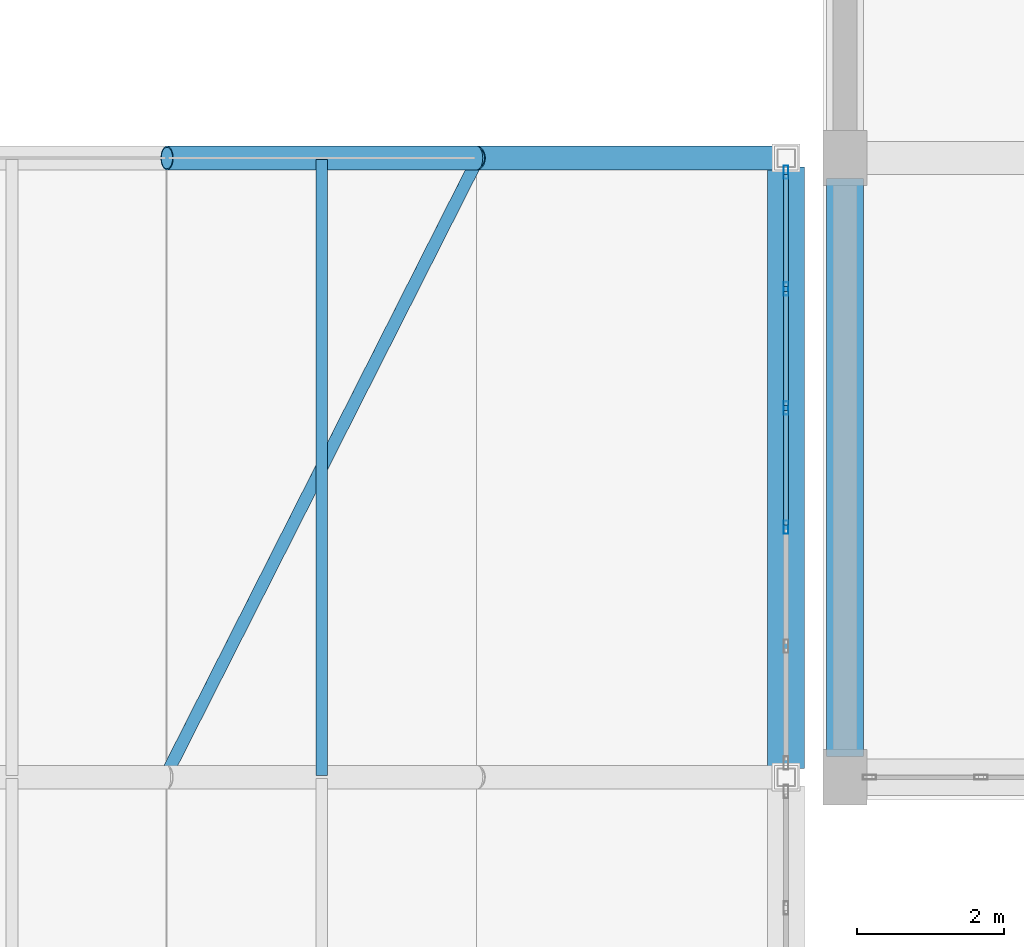
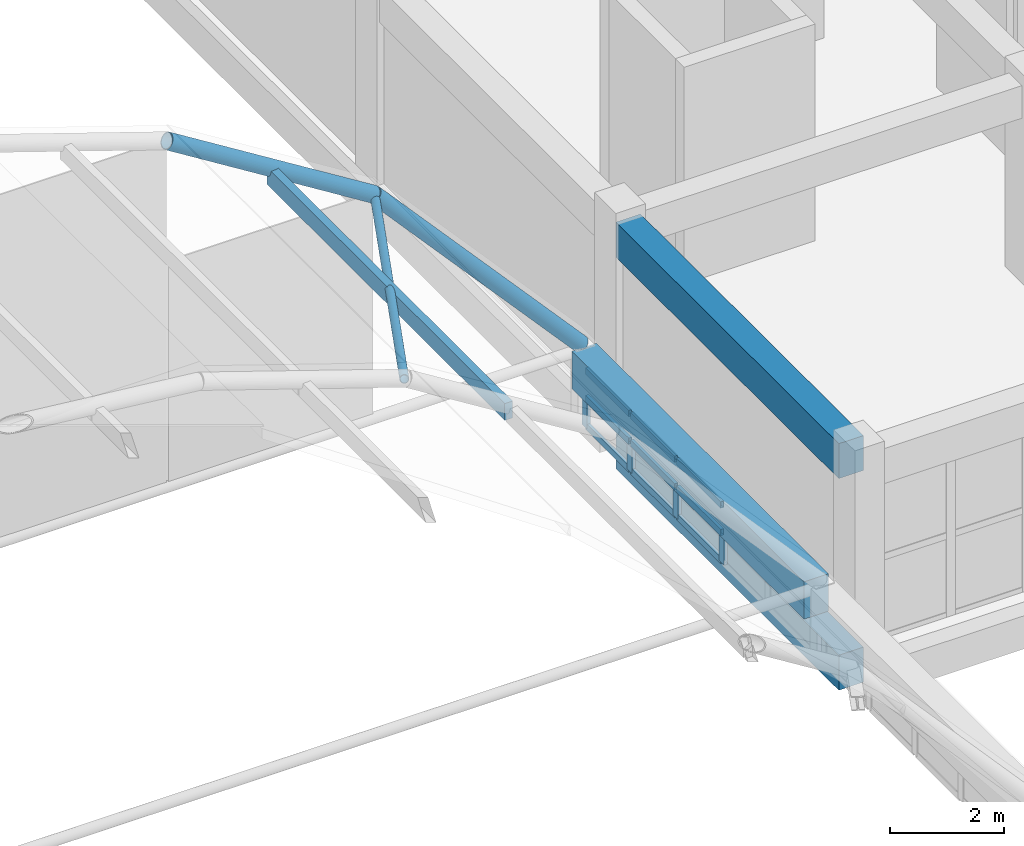
# One storey, part 71 of 114: 15 members, 5 beams, 1 element without a shape of its own.
"""IFC4 building model written with IfcOpenShell, lengths in metres."""

from ifc_helpers import new_model, si_unit, direction, frame, origin, origin_2d, place, context, subcontext, project, spatial, rectangle, hollow_rectangle, hollow_circle, extrude, material, layer, layer_set, material_profile, profile_set, type_object, element, aggregate, save


model = new_model("IFC4")

# Units and contexts
model_context = context("Model", 3, precision=1e-05, world=origin(), true_north=direction((0.0, 1.0)))
body_context = subcontext(model_context, "Body", "Model", "MODEL_VIEW")
ifc_project = project(units=[si_unit("LENGTHUNIT", "METRE"), si_unit("AREAUNIT", "SQUARE_METRE"), si_unit("VOLUMEUNIT", "CUBIC_METRE"), si_unit("PLANEANGLEUNIT", "RADIAN"), si_unit("MASSUNIT", "GRAM", prefix="KILO")], contexts=[model_context])

# Site, building, storey
site_placement = place(None, origin())
site = spatial("IfcSite", under=ifc_project, at=site_placement, CompositionType="ELEMENT")
building_placement = place(site_placement, origin())
building = spatial("IfcBuilding", under=site, at=building_placement, Name="Xazarin Passage Department Store", CompositionType="ELEMENT")
storey_placement = place(building_placement, frame((0.0, 0.0, 14.39990234375)))
storey = spatial("IfcBuildingStorey", under=building, at=storey_placement, Name="L03", CompositionType="ELEMENT", Elevation=14.39990234375)

# Curtain wall, members
ifc_material_1 = material(Name="Bronze anodised aluminium", Category="aluminium")
ifc_layer = layer(ifc_material_1, 0.159912109375)
ifc_layer_set = layer_set([ifc_layer], Name="Bronze anodised aluminium")
curtain_wall_type = type_object("IfcCurtainWallType", Name="ARC-CW-ARC1", PredefinedType="NOTDEFINED", material=ifc_layer_set)
curtain_wall_placement = place(storey_placement, origin())
curtain_wall = element("IfcCurtainWall", 1, at=curtain_wall_placement, inside=storey, type_object=curtain_wall_type, Name="L03 V2N Galleria Clerestory Curtain Wall 5E", PredefinedType="NOTDEFINED")
ifc_material_profile_1 = material_profile(ifc_material_1, hollow_rectangle(XDim=0.06494140625, YDim=0.179931640625, WallThickness=0.00390625, at=origin_2d()), Name="ALU 65x180")
ifc_profile_set_1 = profile_set([ifc_material_profile_1], Name="Bronze anodised aluminium")
member_type_1 = type_object("IfcMemberType", Name="ARC-CWM-65x180", PredefinedType="MULLION", material=ifc_profile_set_1)
member_1_placement = place(storey_placement, frame((101.60009765625, 88.19189453125, 0.0), z_axis=(0.0, 0.0, 1.0), x_axis=(-1.0, 0.0, 0.0)))
member_1 = element("IfcMember", 2, at=member_1_placement, type_object=member_type_1, Name="CW3 mullion 3", PredefinedType="MULLION", context=body_context, shape_type="SweptSolid", body=[
    extrude(hollow_rectangle(XDim=0.06494140625, YDim=0.179931640625, WallThickness=0.00390625, at=origin_2d()), origin(), (0.0, 0.0, 1.0), 1.251708984375),
])
member_2_placement = place(storey_placement, frame((101.60009765625, 89.80810546875, 0.0), z_axis=(0.0, 0.0, 1.0), x_axis=(-1.0, 0.0, 0.0)))
member_2 = element("IfcMember", 3, at=member_2_placement, type_object=member_type_1, Name="CW3 mullion 4", PredefinedType="MULLION", context=body_context, shape_type="SweptSolid", body=[
    extrude(hollow_rectangle(XDim=0.06494140625, YDim=0.179931640625, WallThickness=0.00390625, at=origin_2d()), origin(), (0.0, 0.0, 1.0), 1.251708984375),
])
member_3_placement = place(storey_placement, frame((101.60009765625, 91.424072265625, 0.0), z_axis=(0.0, 0.0, 1.0), x_axis=(-1.0, 0.0, 0.0)))
member_3 = element("IfcMember", 4, at=member_3_placement, type_object=member_type_1, Name="CW3 mullion 5", PredefinedType="MULLION", context=body_context, shape_type="SweptSolid", body=[
    extrude(hollow_rectangle(XDim=0.06494140625, YDim=0.179931640625, WallThickness=0.00390625, at=origin_2d()), origin(), (0.0, 0.0, 1.0), 1.251708984375),
])
member_4_placement = place(storey_placement, frame((101.60009765625, 93.007568359375, 0.0), z_axis=(0.0, 0.0, 1.0), x_axis=(-1.0, 0.0, 0.0)))
member_4 = element("IfcMember", 5, at=member_4_placement, type_object=member_type_1, Name="CW3 mullion 6", PredefinedType="MULLION", context=body_context, shape_type="SweptSolid", body=[
    extrude(hollow_rectangle(XDim=0.06494140625, YDim=0.179931640625, WallThickness=0.00390625, at=origin_2d()), origin(), (0.0, 0.0, 1.0), 1.251708984375),
])
ifc_material_profile_2 = material_profile(ifc_material_1, hollow_rectangle(XDim=0.06494140625, YDim=0.139892578125, WallThickness=0.00390625, at=origin_2d()), Name="ALU 65x140")
ifc_profile_set_2 = profile_set([ifc_material_profile_2], Name="Bronze anodised aluminium")
member_type_2 = type_object("IfcMemberType", Name="ARC-CWT-65x140", PredefinedType="USERDEFINED", material=ifc_profile_set_2)
member_5_placement = place(storey_placement, frame((101.60009765625, 88.224609375, 0.03271484375), z_axis=(0.0, 1.0, 0.0), x_axis=(-1.0, 0.0, 0.0)))
member_5 = element("IfcMember", 6, at=member_5_placement, type_object=member_type_2, Name="CW3 transom 3.1", ObjectType="TRANSOM", PredefinedType="USERDEFINED", context=body_context, shape_type="SweptSolid", body=[
    extrude(hollow_rectangle(XDim=0.06494140625, YDim=0.139892578125, WallThickness=0.00390625, at=origin_2d()), origin(), (0.0, 0.0, 1.0), 1.55078125),
])
member_6_placement = place(storey_placement, frame((101.60009765625, 88.224609375, 0.6259765625), z_axis=(0.0, 1.0, 0.0), x_axis=(-1.0, 0.0, 0.0)))
member_6 = element("IfcMember", 7, at=member_6_placement, type_object=member_type_2, Name="CW3 transom 3.2", ObjectType="TRANSOM", PredefinedType="USERDEFINED", context=body_context, shape_type="SweptSolid", body=[
    extrude(hollow_rectangle(XDim=0.06494140625, YDim=0.139892578125, WallThickness=0.00390625, at=origin_2d()), origin(), (0.0, 0.0, 1.0), 1.55078125),
])
member_7_placement = place(storey_placement, frame((101.60009765625, 88.224609375, 1.21923828125), z_axis=(0.0, 1.0, 0.0), x_axis=(-1.0, 0.0, 0.0)))
member_7 = element("IfcMember", 8, at=member_7_placement, type_object=member_type_2, Name="CW3 transom 3.3", ObjectType="TRANSOM", PredefinedType="USERDEFINED", context=body_context, shape_type="SweptSolid", body=[
    extrude(hollow_rectangle(XDim=0.06494140625, YDim=0.139892578125, WallThickness=0.00390625, at=origin_2d()), origin(), (0.0, 0.0, 1.0), 1.55078125),
])
member_8_placement = place(storey_placement, frame((101.60009765625, 89.840576171875, 0.03271484375), z_axis=(0.0, 1.0, 0.0), x_axis=(-1.0, 0.0, 0.0)))
member_8 = element("IfcMember", 9, at=member_8_placement, type_object=member_type_2, Name="CW3 transom 4.1", ObjectType="TRANSOM", PredefinedType="USERDEFINED", context=body_context, shape_type="SweptSolid", body=[
    extrude(hollow_rectangle(XDim=0.06494140625, YDim=0.139892578125, WallThickness=0.00390625, at=origin_2d()), origin(), (0.0, 0.0, 1.0), 1.551025390625),
])
member_9_placement = place(storey_placement, frame((101.60009765625, 89.840576171875, 0.6259765625), z_axis=(0.0, 1.0, 0.0), x_axis=(-1.0, 0.0, 0.0)))
member_9 = element("IfcMember", 10, at=member_9_placement, type_object=member_type_2, Name="CW3 transom 4.2", ObjectType="TRANSOM", PredefinedType="USERDEFINED", context=body_context, shape_type="SweptSolid", body=[
    extrude(hollow_rectangle(XDim=0.06494140625, YDim=0.139892578125, WallThickness=0.00390625, at=origin_2d()), origin(), (0.0, 0.0, 1.0), 1.551025390625),
])
member_10_placement = place(storey_placement, frame((101.60009765625, 89.840576171875, 1.21923828125), z_axis=(0.0, 1.0, 0.0), x_axis=(-1.0, 0.0, 0.0)))
member_10 = element("IfcMember", 11, at=member_10_placement, type_object=member_type_2, Name="CW3 transom 4.3", ObjectType="TRANSOM", PredefinedType="USERDEFINED", context=body_context, shape_type="SweptSolid", body=[
    extrude(hollow_rectangle(XDim=0.06494140625, YDim=0.139892578125, WallThickness=0.00390625, at=origin_2d()), origin(), (0.0, 0.0, 1.0), 1.551025390625),
])
member_11_placement = place(storey_placement, frame((101.60009765625, 91.45654296875, 0.03271484375), z_axis=(0.0, 1.0, 0.0), x_axis=(-1.0, 0.0, 0.0)))
member_11 = element("IfcMember", 12, at=member_11_placement, type_object=member_type_2, Name="CW3 transom 5.1", ObjectType="TRANSOM", PredefinedType="USERDEFINED", context=body_context, shape_type="SweptSolid", body=[
    extrude(hollow_rectangle(XDim=0.06494140625, YDim=0.139892578125, WallThickness=0.00390625, at=origin_2d()), origin(), (0.0, 0.0, 1.0), 1.5185546875),
])
member_12_placement = place(storey_placement, frame((101.60009765625, 91.45654296875, 0.6259765625), z_axis=(0.0, 1.0, 0.0), x_axis=(-1.0, 0.0, 0.0)))
member_12 = element("IfcMember", 13, at=member_12_placement, type_object=member_type_2, Name="CW3 transom 5.2", ObjectType="TRANSOM", PredefinedType="USERDEFINED", context=body_context, shape_type="SweptSolid", body=[
    extrude(hollow_rectangle(XDim=0.06494140625, YDim=0.139892578125, WallThickness=0.00390625, at=origin_2d()), origin(), (0.0, 0.0, 1.0), 1.5185546875),
])
member_13_placement = place(storey_placement, frame((101.60009765625, 91.45654296875, 1.21923828125), z_axis=(0.0, 1.0, 0.0), x_axis=(-1.0, 0.0, 0.0)))
member_13 = element("IfcMember", 14, at=member_13_placement, type_object=member_type_2, Name="CW3 transom 5.3", ObjectType="TRANSOM", PredefinedType="USERDEFINED", context=body_context, shape_type="SweptSolid", body=[
    extrude(hollow_rectangle(XDim=0.06494140625, YDim=0.139892578125, WallThickness=0.00390625, at=origin_2d()), origin(), (0.0, 0.0, 1.0), 1.5185546875),
])
aggregate(curtain_wall, [member_1, member_2, member_3, member_4, member_5, member_6, member_7, member_8, member_9, member_10, member_11, member_12, member_13])

# Beams
ifc_material_2 = material(Name="Steel S355", Category="steel")
ifc_material_profile_3 = material_profile(ifc_material_2, hollow_circle(Radius=0.161865234375, WallThickness=0.01611328125, at=origin_2d()), Name="CHS 323.9x16")
ifc_profile_set_3 = profile_set([ifc_material_profile_3], Name="Steel S355")
beam_type_1 = type_object("IfcBeamType", Name="STR-BM-AR324", PredefinedType="BEAM", material=ifc_profile_set_3)
beam_1_placement = place(storey_placement, frame((93.199951171875, 93.199951171875, 8.95068359375), z_axis=(0.848571440894, 0.0, -0.529080815848), x_axis=(0.0, 1.0, 0.0)))
element("IfcBeam", 15, at=beam_1_placement, inside=storey, type_object=beam_type_1, Name="V2N Primary Arch Rib 6.7", PredefinedType="BEAM", context=body_context, shape_type="SweptSolid", body=[
    extrude(hollow_circle(Radius=0.161865234375, WallThickness=0.01611328125, at=origin_2d()), origin(), (0.0, 0.0, 1.0), 4.949462890625),
])
beam_2_placement = place(storey_placement, frame((97.39990234375, 93.199951171875, 6.33203125), z_axis=(0.667913050078, 0.0, -0.744239314694), x_axis=(0.0, 1.0, 0.0)))
element("IfcBeam", 16, at=beam_2_placement, inside=storey, type_object=beam_type_1, Name="V2N Primary Arch Rib 6.8", PredefinedType="BEAM", context=body_context, shape_type="SweptSolid", body=[
    extrude(hollow_circle(Radius=0.161865234375, WallThickness=0.01611328125, at=origin_2d()), origin(), (0.0, 0.0, 1.0), 6.28857421875),
])
ifc_material_3 = material(Name="Concrete C40/50", Category="concrete")
ifc_material_profile_4 = material_profile(ifc_material_3, rectangle(XDim=0.5, YDim=0.800048828125, at=origin_2d()), Name="RC 500x800")
ifc_profile_set_4 = profile_set([ifc_material_profile_4], Name="Concrete C40/50")
beam_type_2 = type_object("IfcBeamType", Name="STR-BM-RG500x800", PredefinedType="BEAM", material=ifc_profile_set_4)
beam_3_placement = place(storey_placement, frame((101.60009765625, 84.919921875, 1.251708984375), z_axis=(0.0, 1.0, 0.0), x_axis=(-1.0, 0.0, 0.0)))
element("IfcBeam", 17, at=beam_3_placement, inside=storey, type_object=beam_type_2, Name="V2N Springing Ring Girder E-5", PredefinedType="BEAM", context=body_context, shape_type="SweptSolid", body=[
    extrude(rectangle(XDim=0.5, YDim=0.800048828125, at=origin_2d()), origin(), (0.0, 0.0, 1.0), 8.16015625),
])
ifc_material_4 = material(Name="Concrete C35/45", Category="concrete")
ifc_material_profile_5 = material_profile(ifc_material_4, rectangle(XDim=0.5, YDim=0.75, at=origin_2d()), Name="RC 500x750")
ifc_profile_set_5 = profile_set([ifc_material_profile_5], Name="Concrete C35/45")
beam_type_3 = type_object("IfcBeamType", Name="STR-BM-SP500x750", PredefinedType="SPANDREL", material=ifc_profile_set_5)
for number, where, z_axis, x_axis, name in (
    (18, (102.39990234375, 85.080078125, -0.6748046875), (0.0, 1.0, 0.0), (-1.0, 0.0, 0.0), "L03 Grid Beam 15/M-N"),
    (19, (102.39990234375, 85.080078125, 3.864990234375), (0.0, 1.0, 0.0), (-1.0, 0.0, 0.0), "L03 Grid Beam 15/M-N"),
):
    element("IfcBeam", number, at=place(storey_placement, frame(where, z_axis=z_axis, x_axis=x_axis)), inside=storey, type_object=beam_type_3, Name=name, PredefinedType="SPANDREL", context=body_context, shape_type="SweptSolid", body=[
        extrude(rectangle(XDim=0.5, YDim=0.75, at=origin_2d()), origin(), (0.0, 0.0, 1.0), 7.83984375),
    ])

# Members
ifc_material_profile_6 = material_profile(ifc_material_2, hollow_circle(Radius=0.084228515625, WallThickness=0.010009765625, at=origin_2d()), Name="CHS 168.3x10")
ifc_profile_set_6 = profile_set([ifc_material_profile_6], Name="Steel S355")
member_type_3 = type_object("IfcMemberType", Name="STR-MEM-BR168", PredefinedType="BRACE", material=ifc_profile_set_6)
member_14_placement = place(storey_placement, frame((93.199951171875, 84.85009765625, 8.900634765625), z_axis=(0.434619022897, 0.858879747858, -0.270983179654), x_axis=(-0.892264648106, 0.451512788015, 0.0)))
element("IfcMember", 20, at=member_14_placement, inside=storey, type_object=member_type_3, Name="V2N Gridshell Diagonal Brace 5.6", PredefinedType="BRACE", context=body_context, shape_type="SweptSolid", body=[
    extrude(hollow_circle(Radius=0.084228515625, WallThickness=0.010009765625, at=origin_2d()), origin(), (0.0, 0.0, 1.0), 9.66357421875),
])
ifc_material_5 = material(Name="Glulam GL28h", Category="wood")
ifc_material_profile_7 = material_profile(ifc_material_5, rectangle(XDim=0.159912109375, YDim=0.360107421875, at=origin_2d()), Name="GL28h 160x360")
ifc_profile_set_7 = profile_set([ifc_material_profile_7], Name="Glulam GL28h")
member_type_4 = type_object("IfcMemberType", Name="STR-MEM-GL360", PredefinedType="PURLIN", material=ifc_profile_set_7)
member_15_placement = place(storey_placement, frame((95.300048828125, 84.820068359375, 7.50341796875), z_axis=(0.0, 1.0, 0.0), x_axis=(-1.0, 0.0, 0.0)))
element("IfcMember", 21, at=member_15_placement, inside=storey, type_object=member_type_4, Name="V2N Glulam Gridshell Purlin 5.7", PredefinedType="PURLIN", context=body_context, shape_type="SweptSolid", body=[
    extrude(rectangle(XDim=0.159912109375, YDim=0.360107421875, at=origin_2d()), origin(), (0.0, 0.0, 1.0), 8.35986328125),
])

save(model, "model.ifc")
